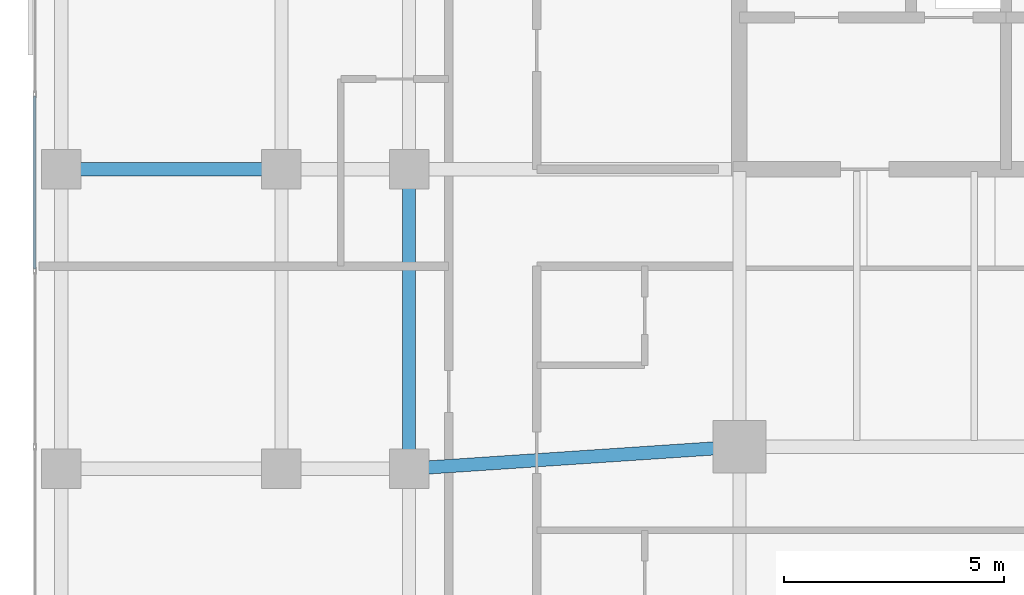
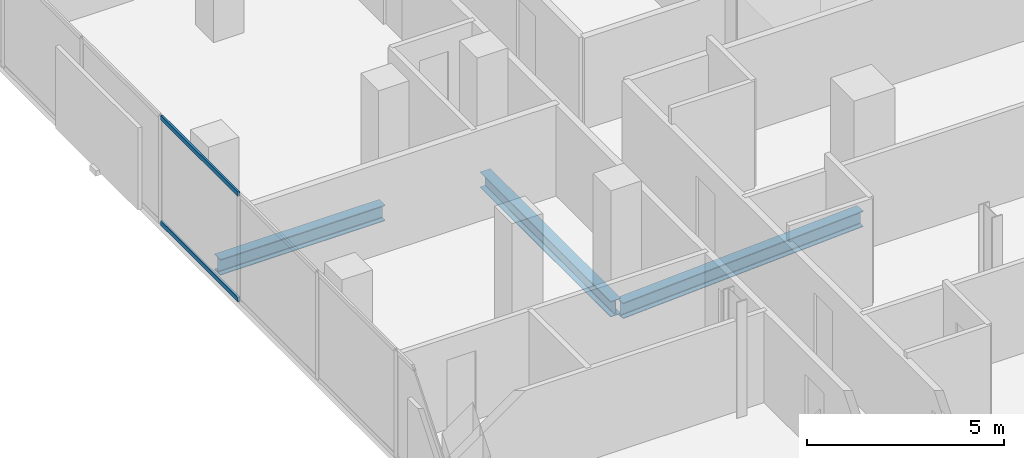
# One storey, part 10 of 34: 3 beams, 2 members, 1 element without a shape of its own.
"""IFC4 building model written with IfcOpenShell, lengths in metres."""

from ifc_helpers import new_model, si_unit, direction, frame, origin, origin_2d, place, context, subcontext, project, spatial, hollow_rectangle, i_section, extrude, material, layer, layer_set, material_profile, profile_set, type_object, element, aggregate, save


model = new_model("IFC4")

# Units and contexts
model_context = context("Model", 3, precision=1e-05, world=origin(), true_north=direction((0.0, 1.0)))
body_context = subcontext(model_context, "Body", "Model", "MODEL_VIEW")
ifc_project = project(units=[si_unit("LENGTHUNIT", "METRE"), si_unit("AREAUNIT", "SQUARE_METRE"), si_unit("VOLUMEUNIT", "CUBIC_METRE"), si_unit("PLANEANGLEUNIT", "RADIAN"), si_unit("MASSUNIT", "GRAM", prefix="KILO")], contexts=[model_context])

# Site, building, storey
site_placement = place(None, origin())
site = spatial("IfcSite", under=ifc_project, at=site_placement, CompositionType="ELEMENT")
building_placement = place(site_placement, origin())
building = spatial("IfcBuilding", under=site, at=building_placement, Name="Catumbela Crestline Tower", CompositionType="ELEMENT")
storey_placement = place(building_placement, frame((0.0, 0.0, 93.6)))
storey = spatial("IfcBuildingStorey", under=building, at=storey_placement, Name="L23", CompositionType="ELEMENT", Elevation=93.6)

# Beams
ifc_material_1 = material(Name="Structural steel S355J2", Category="steel")
ifc_material_profile_1 = material_profile(ifc_material_1, i_section(OverallWidth=0.3, OverallDepth=0.49, WebThickness=0.012, FlangeThickness=0.023, FilletRadius=0.027, at=origin_2d()), Name="HEA 500")
ifc_profile_set_1 = profile_set([ifc_material_profile_1], Name="Structural steel S355J2")
beam_type = type_object("IfcBeamType", Name="BG-HEA500", PredefinedType="BEAM", material=ifc_profile_set_1)
beam_1_placement = place(storey_placement, frame((8.5798, 24.0053, -0.505), z_axis=(0.997784796964, 0.066524423687, 0.0), x_axis=(-0.066524423687, 0.997784796964, 0.0)))
element("IfcBeam", 1, at=beam_1_placement, inside=storey, type_object=beam_type, Name="L23 Beam BM-L23-S03", PredefinedType="BEAM", context=body_context, shape_type="SweptSolid", body=[
    extrude(i_section(OverallWidth=0.3, OverallDepth=0.49, WebThickness=0.012, FlangeThickness=0.023, FilletRadius=0.027, at=origin_2d()), origin(), (0.0, 0.0, 1.0), 7.3567),
])
beam_2_placement = place(storey_placement, frame((0.68, 30.8, -0.505), z_axis=(1.0, 0.0, 0.0), x_axis=(0.0, 1.0, 0.0)))
element("IfcBeam", 2, at=beam_2_placement, inside=storey, type_object=beam_type, Name="L23 Beam BM-L23-M07", PredefinedType="BEAM", context=body_context, shape_type="SweptSolid", body=[
    extrude(i_section(OverallWidth=0.3, OverallDepth=0.49, WebThickness=0.012, FlangeThickness=0.023, FilletRadius=0.027, at=origin_2d()), origin(), (0.0, 0.0, 1.0), 4.84),
])
beam_3_placement = place(storey_placement, frame((8.5, 24.08, -0.505), z_axis=(0.0, 1.0, 0.0), x_axis=(-1.0, 0.0, 0.0)))
element("IfcBeam", 3, at=beam_3_placement, inside=storey, type_object=beam_type, Name="L23 Beam BM-L23-SN26", PredefinedType="BEAM", context=body_context, shape_type="SweptSolid", body=[
    extrude(i_section(OverallWidth=0.3, OverallDepth=0.49, WebThickness=0.012, FlangeThickness=0.023, FilletRadius=0.027, at=origin_2d()), origin(), (0.0, 0.0, 1.0), 6.64),
])

# Curtain wall, members
ifc_material_2 = material(Name="Aluminium alloy AW-6060-T66", Category="aluminium")
ifc_layer = layer(ifc_material_2, 0.18, Name="Aluminium alloy AW-6060-T66")
ifc_layer_set = layer_set([ifc_layer], Name="Aluminium alloy AW-6060-T66")
curtain_wall_type = type_object("IfcCurtainWallType", Name="CWU-Z2", PredefinedType="USERDEFINED", material=ifc_layer_set)
curtain_wall_placement = place(storey_placement, origin())
curtain_wall = element("IfcCurtainWall", 4, at=curtain_wall_placement, inside=storey, type_object=curtain_wall_type, Name="L23 Unitised Curtain Wall CW-L23-E9S1", ObjectType="UNITISED", PredefinedType="USERDEFINED")
ifc_material_profile_2 = material_profile(ifc_material_2, hollow_rectangle(XDim=0.06, YDim=0.14, WallThickness=0.004, at=origin_2d()), Name="ALU 140x60x4")
ifc_profile_set_2 = profile_set([ifc_material_profile_2], Name="Aluminium alloy AW-6060-T66")
member_type = type_object("IfcMemberType", Name="TRN-140X60", PredefinedType="USERDEFINED", material=ifc_profile_set_2)
member_1_placement = place(storey_placement, frame((0.0, 32.4675, 0.03), z_axis=(0.0, -1.0, 0.0), x_axis=(1.0, 0.0, 0.0)))
member_1 = element("IfcMember", 5, at=member_1_placement, type_object=member_type, Name="CWU-Z2 transom 4.1", ObjectType="TRANSOM", PredefinedType="USERDEFINED", context=body_context, shape_type="SweptSolid", body=[
    extrude(hollow_rectangle(XDim=0.06, YDim=0.14, WallThickness=0.004, at=origin_2d()), origin(), (0.0, 0.0, 1.0), 3.935),
])
member_2_placement = place(storey_placement, frame((0.0, 32.4675, 3.3), z_axis=(0.0, -1.0, 0.0), x_axis=(1.0, 0.0, 0.0)))
member_2 = element("IfcMember", 6, at=member_2_placement, type_object=member_type, Name="CWU-Z2 transom 4.2", ObjectType="TRANSOM", PredefinedType="USERDEFINED", context=body_context, shape_type="SweptSolid", body=[
    extrude(hollow_rectangle(XDim=0.06, YDim=0.14, WallThickness=0.004, at=origin_2d()), origin(), (0.0, 0.0, 1.0), 3.935),
])
aggregate(curtain_wall, [member_1, member_2])

save(model, "model.ifc")
